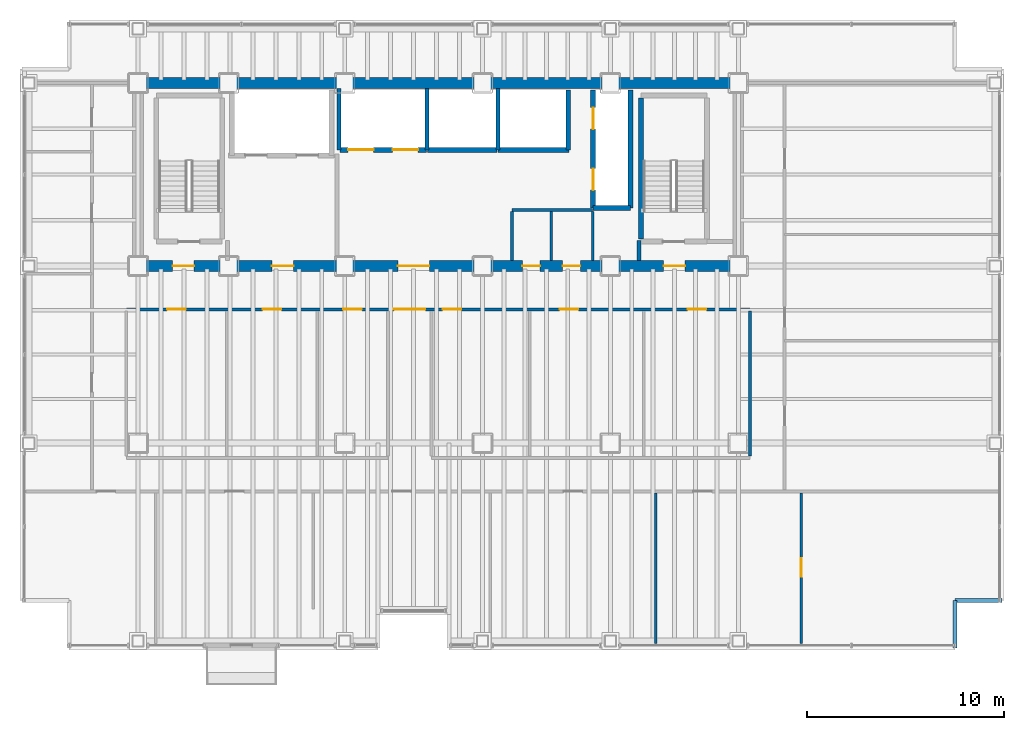
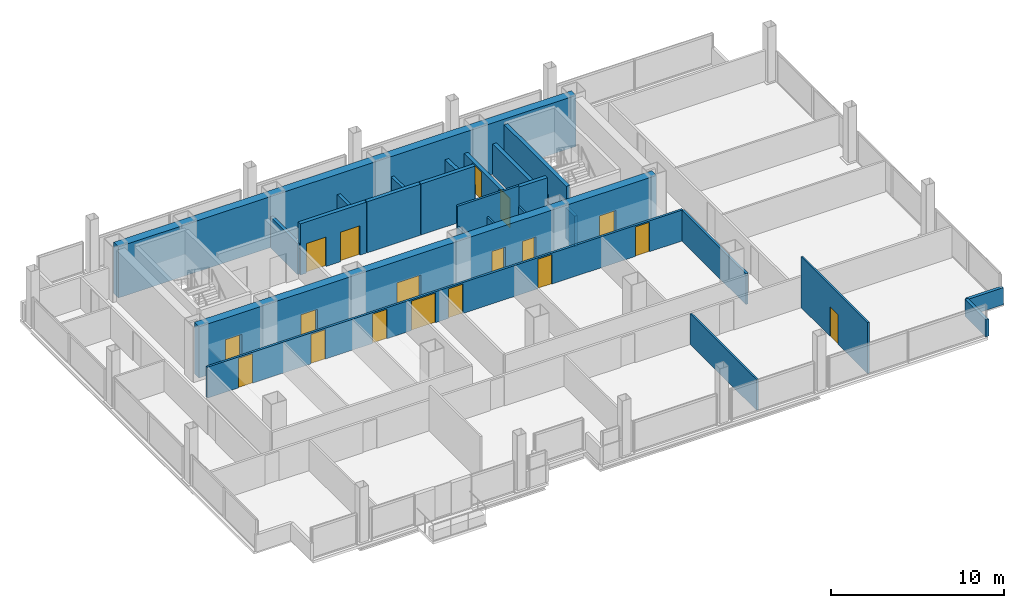
# One storey, part 19 of 21: 24 walls, 18 doors, 18 openings.
"""IFC4 building model written with IfcOpenShell, lengths in metres."""

from ifc_helpers import new_model, si_unit, direction, frame, frame_2d, origin, place, context, subcontext, project, spatial, rectangle, extrude, material, layer, layer_set, type_object, element, fill, save


model = new_model("IFC4")

# Units and contexts
model_context = context("Model", 3, precision=1e-05, world=origin(), true_north=direction((0.0, 1.0)))
body_context = subcontext(model_context, "Body", "Model", "MODEL_VIEW")
ifc_project = project(units=[si_unit("LENGTHUNIT", "METRE"), si_unit("AREAUNIT", "SQUARE_METRE"), si_unit("VOLUMEUNIT", "CUBIC_METRE"), si_unit("PLANEANGLEUNIT", "RADIAN"), si_unit("MASSUNIT", "GRAM", prefix="KILO")], contexts=[model_context])

# Site, building, storey
site_placement = place(None, origin())
site = spatial("IfcSite", under=ifc_project, at=site_placement, CompositionType="ELEMENT")
building_placement = place(site_placement, origin())
building = spatial("IfcBuilding", under=site, at=building_placement, Name="Noeulbin Bourse Tower", CompositionType="ELEMENT")
storey_placement = place(building_placement, frame((0.0, 0.0, 96.699951171875)))
storey = spatial("IfcBuildingStorey", under=building, at=storey_placement, Name="L24", CompositionType="ELEMENT", Elevation=96.699951171875)

# Wall, openings, doors
ifc_material_1 = material(Name="Concrete C60/75", Category="concrete")
ifc_layer_1 = layer(ifc_material_1, 0.550048828125)
ifc_layer_set_1 = layer_set([ifc_layer_1], Name="Concrete C60/75")
wall_type_1 = type_object("IfcWallType", Name="WAL-CORE-550", PredefinedType="SHEAR", material=ifc_layer_set_1)
wall_1_placement = place(storey_placement, frame((13.5, 29.0, 0.0), z_axis=(0.0, 0.0, 1.0), x_axis=(1.0, 0.0, 0.0)))
wall_1 = element("IfcWall", 1, at=wall_1_placement, inside=storey, type_object=wall_type_1, Name="Rear Core South Shear Wall L24", PredefinedType="SHEAR", context=body_context, shape_type="SweptSolid", body=[
    extrude(rectangle(XDim=30.5, YDim=0.550048828125, at=frame_2d((15.25, 0.0))), origin(), (0.0, 0.0, 1.0), 3.60009765625),
])
opening_1_placement = place(wall_1_placement, frame((1.75, 0.0, 0.0)))
opening_1 = element("IfcOpeningElement", 2, at=opening_1_placement, cuts=wall_1, Name="Opening FD-11", PredefinedType="OPENING", context=body_context, shape_type="SweptSolid", body=[
    extrude(rectangle(XDim=1.10009765625, YDim=2.080078125, at=frame_2d((0.550048828125, 1.0400390625))), frame((0.0, 0.284912109375, 0.0), z_axis=(0.0, -1.0, 0.0), x_axis=(1.0, 0.0, 0.0)), (0.0, 0.0, 1.0), 0.570068359375),
])
opening_2_placement = place(wall_1_placement, frame((26.699951171875, 0.0, 0.0)))
opening_2 = element("IfcOpeningElement", 3, at=opening_2_placement, cuts=wall_1, Name="Opening FD-11", PredefinedType="OPENING", context=body_context, shape_type="SweptSolid", body=[
    extrude(rectangle(XDim=1.10009765625, YDim=2.080078125, at=frame_2d((0.550048828125, 1.0400390625))), frame((0.0, 0.284912109375, 0.0), z_axis=(0.0, -1.0, 0.0), x_axis=(1.0, 0.0, 0.0)), (0.0, 0.0, 1.0), 0.570068359375),
])
opening_3_placement = place(wall_1_placement, frame((6.800048828125, 0.0, 0.0)))
opening_3 = element("IfcOpeningElement", 4, at=opening_3_placement, cuts=wall_1, Name="Opening FD-11", PredefinedType="OPENING", context=body_context, shape_type="SweptSolid", body=[
    extrude(rectangle(XDim=1.10009765625, YDim=2.080078125, at=frame_2d((0.550048828125, 1.0400390625))), frame((0.0, 0.284912109375, 0.0), z_axis=(0.0, -1.0, 0.0), x_axis=(1.0, 0.0, 0.0)), (0.0, 0.0, 1.0), 0.570068359375),
])
opening_4_placement = place(wall_1_placement, frame((13.199951171875, 0.0, 0.0)))
opening_4 = element("IfcOpeningElement", 5, at=opening_4_placement, cuts=wall_1, Name="Opening ID-16", PredefinedType="OPENING", context=body_context, shape_type="SweptSolid", body=[
    extrude(rectangle(XDim=1.60009765625, YDim=2.080078125, at=frame_2d((0.800048828125, 1.0400390625))), frame((0.0, 0.284912109375, 0.0), z_axis=(0.0, -1.0, 0.0), x_axis=(1.0, 0.0, 0.0)), (0.0, 0.0, 1.0), 0.570068359375),
])
opening_5_placement = place(wall_1_placement, frame((19.530029296875, 0.0, 0.0)))
opening_5 = element("IfcOpeningElement", 6, at=opening_5_placement, cuts=wall_1, Name="Opening FD-09", PredefinedType="OPENING", context=body_context, shape_type="SweptSolid", body=[
    extrude(rectangle(XDim=0.89990234375, YDim=2.080078125, at=frame_2d((0.449951171875, 1.0400390625))), frame((0.0, 0.284912109375, 0.0), z_axis=(0.0, -1.0, 0.0), x_axis=(1.0, 0.0, 0.0)), (0.0, 0.0, 1.0), 0.570068359375),
])
opening_6_placement = place(wall_1_placement, frame((21.570068359375, 0.0, 0.0)))
opening_6 = element("IfcOpeningElement", 7, at=opening_6_placement, cuts=wall_1, Name="Opening FD-09", PredefinedType="OPENING", context=body_context, shape_type="SweptSolid", body=[
    extrude(rectangle(XDim=0.89990234375, YDim=2.080078125, at=frame_2d((0.449951171875, 1.0400390625))), frame((0.0, 0.284912109375, 0.0), z_axis=(0.0, -1.0, 0.0), x_axis=(1.0, 0.0, 0.0)), (0.0, 0.0, 1.0), 0.570068359375),
])
ifc_material_2 = material(Name="Acoustic Glazed Aluminium", Category="aluminium")
door_type_1 = type_object("IfcDoorType", Name="DR-DBL-1600", OperationType="DOUBLE_DOOR_SINGLE_SWING", PredefinedType="DOOR", material=ifc_material_2)
door_1_placement = place(opening_4_placement, origin())
door_1 = element("IfcDoor", 8, at=door_1_placement, inside=storey, type_object=door_type_1, Name="Passenger Lift Lobby Portal L24", OperationType="DOUBLE_DOOR_SINGLE_SWING", OverallHeight=2.080078125, OverallWidth=1.60009765625, PredefinedType="DOOR", context=body_context, shape_type="SweptSolid", body=[
    extrude(rectangle(XDim=1.60009765625, YDim=2.080078125, at=frame_2d((0.800048828125, 1.0400390625))), frame((0.0, 0.02490234375, 0.0), z_axis=(0.0, -1.0, 0.0), x_axis=(1.0, 0.0, 0.0)), (0.0, 0.0, 1.0), 0.050048828125),
])
fill(opening_4, door_1)
ifc_material_3 = material(Name="Fire-Rated Timber Core", Category="wood")
door_type_2 = type_object("IfcDoorType", Name="DR-FD30-900", OperationType="SINGLE_SWING_RIGHT", PredefinedType="DOOR", material=ifc_material_3)
door_2_placement = place(opening_5_placement, origin())
door_2 = element("IfcDoor", 9, at=door_2_placement, inside=storey, type_object=door_type_2, Name="Interior Door L24-05", OperationType="SINGLE_SWING_RIGHT", OverallHeight=2.080078125, OverallWidth=0.89990234375, PredefinedType="DOOR", context=body_context, shape_type="SweptSolid", body=[
    extrude(rectangle(XDim=0.89990234375, YDim=2.080078125, at=frame_2d((0.449951171875, 1.0400390625))), frame((0.0, 0.02490234375, 0.0), z_axis=(0.0, -1.0, 0.0), x_axis=(1.0, 0.0, 0.0)), (0.0, 0.0, 1.0), 0.050048828125),
])
fill(opening_5, door_2)
door_3_placement = place(opening_6_placement, origin())
door_3 = element("IfcDoor", 10, at=door_3_placement, inside=storey, type_object=door_type_2, Name="Interior Door L24-06", OperationType="SINGLE_SWING_LEFT", OverallHeight=2.080078125, OverallWidth=0.89990234375, PredefinedType="DOOR", context=body_context, shape_type="SweptSolid", body=[
    extrude(rectangle(XDim=0.89990234375, YDim=2.080078125, at=frame_2d((0.449951171875, 1.0400390625))), frame((0.0, 0.02490234375, 0.0), z_axis=(0.0, -1.0, 0.0), x_axis=(1.0, 0.0, 0.0)), (0.0, 0.0, 1.0), 0.050048828125),
])
fill(opening_6, door_3)
ifc_material_4 = material(Name="Fire-Rated Insulated Steel", Category="steel")
door_type_3 = type_object("IfcDoorType", Name="DR-FD60-1100", OperationType="SINGLE_SWING_LEFT", PredefinedType="DOOR", material=ifc_material_4)
door_4_placement = place(opening_1_placement, origin())
door_4 = element("IfcDoor", 11, at=door_4_placement, inside=storey, type_object=door_type_3, Name="West Stair Lobby Door L24", OperationType="SINGLE_SWING_RIGHT", OverallHeight=2.080078125, OverallWidth=1.10009765625, PredefinedType="DOOR", context=body_context, shape_type="SweptSolid", body=[
    extrude(rectangle(XDim=1.10009765625, YDim=2.080078125, at=frame_2d((0.550048828125, 1.0400390625))), frame((0.0, 0.02490234375, 0.0), z_axis=(0.0, -1.0, 0.0), x_axis=(1.0, 0.0, 0.0)), (0.0, 0.0, 1.0), 0.050048828125),
])
fill(opening_1, door_4)
door_5_placement = place(opening_2_placement, origin())
door_5 = element("IfcDoor", 12, at=door_5_placement, inside=storey, type_object=door_type_3, Name="East Stair Lobby Door L24", OperationType="SINGLE_SWING_LEFT", OverallHeight=2.080078125, OverallWidth=1.10009765625, PredefinedType="DOOR", context=body_context, shape_type="SweptSolid", body=[
    extrude(rectangle(XDim=1.10009765625, YDim=2.080078125, at=frame_2d((0.550048828125, 1.0400390625))), frame((0.0, 0.02490234375, 0.0), z_axis=(0.0, -1.0, 0.0), x_axis=(1.0, 0.0, 0.0)), (0.0, 0.0, 1.0), 0.050048828125),
])
fill(opening_2, door_5)
door_6_placement = place(opening_3_placement, origin())
door_6 = element("IfcDoor", 13, at=door_6_placement, inside=storey, type_object=door_type_3, Name="Firefighting Lobby Door L24", OperationType="SINGLE_SWING_RIGHT", OverallHeight=2.080078125, OverallWidth=1.10009765625, PredefinedType="DOOR", context=body_context, shape_type="SweptSolid", body=[
    extrude(rectangle(XDim=1.10009765625, YDim=2.080078125, at=frame_2d((0.550048828125, 1.0400390625))), frame((0.0, 0.02490234375, 0.0), z_axis=(0.0, -1.0, 0.0), x_axis=(1.0, 0.0, 0.0)), (0.0, 0.0, 1.0), 0.050048828125),
])
fill(opening_3, door_6)

# Walls
wall_2_placement = place(storey_placement, frame((13.5, 38.300048828125, 0.0), z_axis=(0.0, 0.0, 1.0), x_axis=(1.0, 0.0, 0.0)))
element("IfcWall", 14, at=wall_2_placement, inside=storey, type_object=wall_type_1, Name="Rear Core North Shear Wall L24", PredefinedType="SHEAR", context=body_context, shape_type="SweptSolid", body=[
    extrude(rectangle(XDim=30.5, YDim=0.550048828125, at=frame_2d((15.25, 0.0))), origin(), (0.0, 0.0, 1.0), 3.60009765625),
])
ifc_material_5 = material(Name="Concrete C40/50", Category="concrete")
ifc_layer_2 = layer(ifc_material_5, 0.199951171875)
ifc_layer_set_2 = layer_set([ifc_layer_2], Name="Concrete C40/50")
wall_type_2 = type_object("IfcWallType", Name="WAL-FIRE-200", PredefinedType="STANDARD", material=ifc_layer_set_2)
wall_3_placement = place(storey_placement, frame((38.949951171875, 29.284912109375, 0.0), z_axis=(0.0, 0.0, 1.0), x_axis=(0.0, 1.0, 0.0)))
element("IfcWall", 15, at=wall_3_placement, inside=storey, type_object=wall_type_2, Name="Interior Partition Wall L24-14", PredefinedType="STANDARD", context=body_context, shape_type="SweptSolid", body=[
    extrude(rectangle(XDim=1.01513671875, YDim=0.199951171875, at=frame_2d((0.507568359375, 0.0))), origin(), (0.0, 0.0, 1.0), 2.179931640625),
])
ifc_layer_3 = layer(ifc_material_5, 0.199951171875)
ifc_layer_set_3 = layer_set([ifc_layer_3], Name="Concrete C40/50")
wall_type_3 = type_object("IfcWallType", Name="WAL-PAR-200", PredefinedType="PARAPET", material=ifc_layer_set_3)
for number, where, z_axis, x_axis, name in (
    (16, (55.0, 9.60009765625, 0.0), (0.0, 0.0, 1.0), (0.0, 1.0, 0.0), "Corner Notch Parapet L24-SE1"),
    (17, (55.0, 12.0, 0.0), (0.0, 0.0, 1.0), (1.0, 0.0, 0.0), "Corner Notch Parapet L24-SE2"),
):
    element("IfcWall", number, at=place(storey_placement, frame(where, z_axis=z_axis, x_axis=x_axis)), inside=storey, type_object=wall_type_3, Name=name, PredefinedType="PARAPET", context=body_context, shape_type="SweptSolid", body=[
        extrude(rectangle(XDim=2.39990234375, YDim=0.199951171875, at=frame_2d((1.199951171875, 0.0))), origin(), (0.0, 0.0, 1.0), 1.199951171875),
    ])
ifc_material_6 = material(Name="Steel Stud Gypsum Partition", Category="steel")
ifc_layer_4 = layer(ifc_material_6, 0.1201171875)
ifc_layer_set_4 = layer_set([ifc_layer_4], Name="Steel Stud Gypsum Partition")
wall_type_4 = type_object("IfcWallType", Name="WAL-PRT-120", PredefinedType="PARTITIONING", material=ifc_layer_set_4)
for number, where, z_axis, x_axis, name in (
    (18, (36.60009765625, 29.284912109375, 0.0), (0.0, 0.0, 1.0), (0.0, 1.0, 0.0), "Interior Partition Wall L24-17"),
    (19, (34.5, 29.284912109375, 0.0), (0.0, 0.0, 1.0), (0.0, 1.0, 0.0), "Interior Partition Wall L24-18"),
):
    element("IfcWall", number, at=place(storey_placement, frame(where, z_axis=z_axis, x_axis=x_axis)), inside=storey, type_object=wall_type_4, Name=name, PredefinedType="PARTITIONING", context=body_context, shape_type="SweptSolid", body=[
        extrude(rectangle(XDim=2.47998046875, YDim=0.1201171875, at=frame_2d((1.239990234375, 0.0))), origin(), (0.0, 0.0, 1.0), 2.179931640625),
    ])
wall_4_placement = place(storey_placement, frame((39.800048828125, 9.81005859375, 0.0), z_axis=(0.0, 0.0, 1.0), x_axis=(0.0, 1.0, 0.0)))
element("IfcWall", 20, at=wall_4_placement, inside=storey, type_object=wall_type_4, Name="Interior Partition Wall L24-28", PredefinedType="PARTITIONING", context=body_context, shape_type="SweptSolid", body=[
    extrude(rectangle(XDim=7.655029296875, YDim=0.1201171875, at=frame_2d((3.82763671875, 0.0))), origin(), (0.0, 0.0, 1.0), 2.179931640625),
])

# Wall, opening, door
wall_5_placement = place(storey_placement, frame((47.199951171875, 9.81005859375, 0.0), z_axis=(0.0, 0.0, 1.0), x_axis=(0.0, 1.0, 0.0)))
wall_5 = element("IfcWall", 21, at=wall_5_placement, inside=storey, type_object=wall_type_4, Name="Interior Partition Wall L24-29", PredefinedType="PARTITIONING", context=body_context, shape_type="SweptSolid", body=[
    extrude(rectangle(XDim=7.655029296875, YDim=0.1201171875, at=frame_2d((3.82763671875, 0.0))), origin(), (0.0, 0.0, 1.0), 3.60009765625),
])
opening_7_placement = place(wall_5_placement, frame((3.39501953125, 0.0, 0.0)))
opening_7 = element("IfcOpeningElement", 22, at=opening_7_placement, cuts=wall_5, Name="Opening ID-09", PredefinedType="OPENING", context=body_context, shape_type="SweptSolid", body=[
    extrude(rectangle(XDim=0.949951171875, YDim=2.080078125, at=frame_2d((0.47509765625, 1.0400390625))), frame((0.0, 0.070068359375, 0.0), z_axis=(0.0, -1.0, 0.0), x_axis=(1.0, 0.0, 0.0)), (0.0, 0.0, 1.0), 0.14013671875),
])
ifc_material_7 = material(Name="Acoustic Solid-Core Timber", Category="wood")
door_type_4 = type_object("IfcDoorType", Name="DR-SINGLE-950", OperationType="SINGLE_SWING_LEFT", PredefinedType="DOOR", material=ifc_material_7)
door_7_placement = place(opening_7_placement, origin())
door_7 = element("IfcDoor", 23, at=door_7_placement, inside=storey, type_object=door_type_4, Name="Interior Door L24-13", OperationType="SINGLE_SWING_RIGHT", OverallHeight=2.080078125, OverallWidth=0.949951171875, PredefinedType="DOOR", context=body_context, shape_type="SweptSolid", body=[
    extrude(rectangle(XDim=0.949951171875, YDim=2.080078125, at=frame_2d((0.47509765625, 1.0400390625))), frame((0.0, 0.02490234375, 0.0), z_axis=(0.0, -1.0, 0.0), x_axis=(1.0, 0.0, 0.0)), (0.0, 0.0, 1.0), 0.050048828125),
])
fill(opening_7, door_7)

# Wall
ifc_material_8 = material(Name="Steel Stud Acoustic Gypsum Board", Category="steel")
ifc_layer_5 = layer(ifc_material_8, 0.14990234375)
ifc_layer_set_5 = layer_set([ifc_layer_5], Name="Steel Stud Acoustic Gypsum Board")
wall_type_5 = type_object("IfcWallType", Name="WAL-PRT-150", PredefinedType="PARTITIONING", material=ifc_layer_set_5)
wall_6_placement = place(storey_placement, frame((32.5, 31.85009765625, 0.0), z_axis=(0.0, 0.0, 1.0), x_axis=(1.0, 0.0, 0.0)))
element("IfcWall", 24, at=wall_6_placement, inside=storey, type_object=wall_type_5, Name="Interior Partition Wall L24-02", PredefinedType="PARTITIONING", context=body_context, shape_type="SweptSolid", body=[
    extrude(rectangle(XDim=4.10009765625, YDim=0.14990234375, at=frame_2d((2.050048828125, 0.0))), origin(), (0.0, 0.0, 1.0), 3.60009765625),
])

# Wall, openings, doors
wall_7_placement = place(storey_placement, frame((12.89990234375, 26.800048828125, 0.0), z_axis=(0.0, 0.0, 1.0), x_axis=(1.0, 0.0, 0.0)))
wall_7 = element("IfcWall", 25, at=wall_7_placement, inside=storey, type_object=wall_type_5, Name="Interior Partition Wall L24-03", PredefinedType="PARTITIONING", context=body_context, shape_type="SweptSolid", body=[
    extrude(rectangle(XDim=31.7001953125, YDim=0.14990234375, at=frame_2d((15.85009765625, 0.0))), origin(), (0.0, 0.0, 1.0), 2.179931640625),
])
opening_8_placement = place(wall_7_placement, frame((13.60009765625, 0.0, 0.0)))
opening_8 = element("IfcOpeningElement", 26, at=opening_8_placement, cuts=wall_7, Name="Opening ID-16", PredefinedType="OPENING", context=body_context, shape_type="SweptSolid", body=[
    extrude(rectangle(XDim=1.60009765625, YDim=2.080078125, at=frame_2d((0.800048828125, 1.0400390625))), frame((0.0, 0.0849609375, 0.0), z_axis=(0.0, -1.0, 0.0), x_axis=(1.0, 0.0, 0.0)), (0.0, 0.0, 1.0), 0.169921875),
])
opening_9_placement = place(wall_7_placement, frame((2.074951171875, 0.0, 0.0)))
opening_9 = element("IfcOpeningElement", 27, at=opening_9_placement, cuts=wall_7, Name="Opening ID-09", PredefinedType="OPENING", context=body_context, shape_type="SweptSolid", body=[
    extrude(rectangle(XDim=0.949951171875, YDim=2.080078125, at=frame_2d((0.47509765625, 1.0400390625))), frame((0.0, 0.0849609375, 0.0), z_axis=(0.0, -1.0, 0.0), x_axis=(1.0, 0.0, 0.0)), (0.0, 0.0, 1.0), 0.169921875),
])
opening_10_placement = place(wall_7_placement, frame((6.925048828125, 0.0, 0.0)))
opening_10 = element("IfcOpeningElement", 28, at=opening_10_placement, cuts=wall_7, Name="Opening ID-09", PredefinedType="OPENING", context=body_context, shape_type="SweptSolid", body=[
    extrude(rectangle(XDim=0.949951171875, YDim=2.080078125, at=frame_2d((0.47509765625, 1.0400390625))), frame((0.0, 0.0849609375, 0.0), z_axis=(0.0, -1.0, 0.0), x_axis=(1.0, 0.0, 0.0)), (0.0, 0.0, 1.0), 0.169921875),
])
opening_11_placement = place(wall_7_placement, frame((11.02490234375, 0.0, 0.0)))
opening_11 = element("IfcOpeningElement", 29, at=opening_11_placement, cuts=wall_7, Name="Opening ID-09", PredefinedType="OPENING", context=body_context, shape_type="SweptSolid", body=[
    extrude(rectangle(XDim=0.949951171875, YDim=2.080078125, at=frame_2d((0.47509765625, 1.0400390625))), frame((0.0, 0.0849609375, 0.0), z_axis=(0.0, -1.0, 0.0), x_axis=(1.0, 0.0, 0.0)), (0.0, 0.0, 1.0), 0.169921875),
])
opening_12_placement = place(wall_7_placement, frame((16.074951171875, 0.0, 0.0)))
opening_12 = element("IfcOpeningElement", 30, at=opening_12_placement, cuts=wall_7, Name="Opening ID-09", PredefinedType="OPENING", context=body_context, shape_type="SweptSolid", body=[
    extrude(rectangle(XDim=0.949951171875, YDim=2.080078125, at=frame_2d((0.47509765625, 1.0400390625))), frame((0.0, 0.0849609375, 0.0), z_axis=(0.0, -1.0, 0.0), x_axis=(1.0, 0.0, 0.0)), (0.0, 0.0, 1.0), 0.169921875),
])
opening_13_placement = place(wall_7_placement, frame((22.02490234375, 0.0, 0.0)))
opening_13 = element("IfcOpeningElement", 31, at=opening_13_placement, cuts=wall_7, Name="Opening ID-09", PredefinedType="OPENING", context=body_context, shape_type="SweptSolid", body=[
    extrude(rectangle(XDim=0.949951171875, YDim=2.080078125, at=frame_2d((0.47509765625, 1.0400390625))), frame((0.0, 0.0849609375, 0.0), z_axis=(0.0, -1.0, 0.0), x_axis=(1.0, 0.0, 0.0)), (0.0, 0.0, 1.0), 0.169921875),
])
opening_14_placement = place(wall_7_placement, frame((28.52490234375, 0.0, 0.0)))
opening_14 = element("IfcOpeningElement", 32, at=opening_14_placement, cuts=wall_7, Name="Opening ID-09", PredefinedType="OPENING", context=body_context, shape_type="SweptSolid", body=[
    extrude(rectangle(XDim=0.949951171875, YDim=2.080078125, at=frame_2d((0.47509765625, 1.0400390625))), frame((0.0, 0.0849609375, 0.0), z_axis=(0.0, -1.0, 0.0), x_axis=(1.0, 0.0, 0.0)), (0.0, 0.0, 1.0), 0.169921875),
])
door_8_placement = place(opening_8_placement, origin())
door_8 = element("IfcDoor", 33, at=door_8_placement, inside=storey, type_object=door_type_1, Name="Interior Door L24-07", OperationType="DOUBLE_DOOR_SINGLE_SWING", OverallHeight=2.080078125, OverallWidth=1.60009765625, PredefinedType="DOOR", context=body_context, shape_type="SweptSolid", body=[
    extrude(rectangle(XDim=1.60009765625, YDim=2.080078125, at=frame_2d((0.800048828125, 1.0400390625))), frame((0.0, 0.02490234375, 0.0), z_axis=(0.0, -1.0, 0.0), x_axis=(1.0, 0.0, 0.0)), (0.0, 0.0, 1.0), 0.050048828125),
])
fill(opening_8, door_8)
door_9_placement = place(opening_9_placement, origin())
door_9 = element("IfcDoor", 34, at=door_9_placement, inside=storey, type_object=door_type_4, Name="Interior Door L24-14", OperationType="SINGLE_SWING_LEFT", OverallHeight=2.080078125, OverallWidth=0.949951171875, PredefinedType="DOOR", context=body_context, shape_type="SweptSolid", body=[
    extrude(rectangle(XDim=0.949951171875, YDim=2.080078125, at=frame_2d((0.47509765625, 1.0400390625))), frame((0.0, 0.02490234375, 0.0), z_axis=(0.0, -1.0, 0.0), x_axis=(1.0, 0.0, 0.0)), (0.0, 0.0, 1.0), 0.050048828125),
])
fill(opening_9, door_9)
door_10_placement = place(opening_10_placement, origin())
door_10 = element("IfcDoor", 35, at=door_10_placement, inside=storey, type_object=door_type_4, Name="Interior Door L24-15", OperationType="SINGLE_SWING_RIGHT", OverallHeight=2.080078125, OverallWidth=0.949951171875, PredefinedType="DOOR", context=body_context, shape_type="SweptSolid", body=[
    extrude(rectangle(XDim=0.949951171875, YDim=2.080078125, at=frame_2d((0.47509765625, 1.0400390625))), frame((0.0, 0.02490234375, 0.0), z_axis=(0.0, -1.0, 0.0), x_axis=(1.0, 0.0, 0.0)), (0.0, 0.0, 1.0), 0.050048828125),
])
fill(opening_10, door_10)
door_11_placement = place(opening_11_placement, origin())
door_11 = element("IfcDoor", 36, at=door_11_placement, inside=storey, type_object=door_type_4, Name="Interior Door L24-16", OperationType="SINGLE_SWING_LEFT", OverallHeight=2.080078125, OverallWidth=0.949951171875, PredefinedType="DOOR", context=body_context, shape_type="SweptSolid", body=[
    extrude(rectangle(XDim=0.949951171875, YDim=2.080078125, at=frame_2d((0.47509765625, 1.0400390625))), frame((0.0, 0.02490234375, 0.0), z_axis=(0.0, -1.0, 0.0), x_axis=(1.0, 0.0, 0.0)), (0.0, 0.0, 1.0), 0.050048828125),
])
fill(opening_11, door_11)
door_12_placement = place(opening_12_placement, origin())
door_12 = element("IfcDoor", 37, at=door_12_placement, inside=storey, type_object=door_type_4, Name="Interior Door L24-17", OperationType="SINGLE_SWING_RIGHT", OverallHeight=2.080078125, OverallWidth=0.949951171875, PredefinedType="DOOR", context=body_context, shape_type="SweptSolid", body=[
    extrude(rectangle(XDim=0.949951171875, YDim=2.080078125, at=frame_2d((0.47509765625, 1.0400390625))), frame((0.0, 0.02490234375, 0.0), z_axis=(0.0, -1.0, 0.0), x_axis=(1.0, 0.0, 0.0)), (0.0, 0.0, 1.0), 0.050048828125),
])
fill(opening_12, door_12)
door_13_placement = place(opening_13_placement, origin())
door_13 = element("IfcDoor", 38, at=door_13_placement, inside=storey, type_object=door_type_4, Name="Interior Door L24-18", OperationType="SINGLE_SWING_LEFT", OverallHeight=2.080078125, OverallWidth=0.949951171875, PredefinedType="DOOR", context=body_context, shape_type="SweptSolid", body=[
    extrude(rectangle(XDim=0.949951171875, YDim=2.080078125, at=frame_2d((0.47509765625, 1.0400390625))), frame((0.0, 0.02490234375, 0.0), z_axis=(0.0, -1.0, 0.0), x_axis=(1.0, 0.0, 0.0)), (0.0, 0.0, 1.0), 0.050048828125),
])
fill(opening_13, door_13)
door_14_placement = place(opening_14_placement, origin())
door_14 = element("IfcDoor", 39, at=door_14_placement, inside=storey, type_object=door_type_4, Name="Interior Door L24-19", OperationType="SINGLE_SWING_RIGHT", OverallHeight=2.080078125, OverallWidth=0.949951171875, PredefinedType="DOOR", context=body_context, shape_type="SweptSolid", body=[
    extrude(rectangle(XDim=0.949951171875, YDim=2.080078125, at=frame_2d((0.47509765625, 1.0400390625))), frame((0.0, 0.02490234375, 0.0), z_axis=(0.0, -1.0, 0.0), x_axis=(1.0, 0.0, 0.0)), (0.0, 0.0, 1.0), 0.050048828125),
])
fill(opening_14, door_14)

# Walls
wall_8_placement = place(storey_placement, frame((32.5, 29.284912109375, 0.0), z_axis=(0.0, 0.0, 1.0), x_axis=(0.0, 1.0, 0.0)))
element("IfcWall", 40, at=wall_8_placement, inside=storey, type_object=wall_type_5, Name="Interior Partition Wall L24-16", PredefinedType="PARTITIONING", context=body_context, shape_type="SweptSolid", body=[
    extrude(rectangle(XDim=2.47998046875, YDim=0.14990234375, at=frame_2d((1.239990234375, 0.0))), origin(), (0.0, 0.0, 1.0), 2.179931640625),
])
wall_9_placement = place(storey_placement, frame((44.60009765625, 19.3349609375, 0.0), z_axis=(0.0, 0.0, 1.0), x_axis=(0.0, 1.0, 0.0)))
element("IfcWall", 41, at=wall_9_placement, inside=storey, type_object=wall_type_5, Name="Interior Partition Wall L24-24", PredefinedType="PARTITIONING", context=body_context, shape_type="SweptSolid", body=[
    extrude(rectangle(XDim=7.380126953125, YDim=0.14990234375, at=frame_2d((3.68994140625, 0.0))), origin(), (0.0, 0.0, 1.0), 2.179931640625),
])
ifc_layer_6 = layer(ifc_material_5, 0.25)
ifc_layer_set_6 = layer_set([ifc_layer_6], Name="Concrete C40/50")
wall_type_6 = type_object("IfcWallType", Name="WAL-SHFT-250", PredefinedType="STANDARD", material=ifc_layer_set_6)
wall_10_placement = place(storey_placement, frame((39.054931640625, 30.360107421875, 0.0), z_axis=(0.0, 0.0, 1.0), x_axis=(0.0, 1.0, 0.0)))
element("IfcWall", 42, at=wall_10_placement, inside=storey, type_object=wall_type_6, Name="Stair ST-2 West Shaft Wall L24", PredefinedType="STANDARD", context=body_context, shape_type="SweptSolid", body=[
    extrude(rectangle(XDim=7.183837890625, YDim=0.25, at=frame_2d((3.591796875, 0.0))), origin(), (0.0, 0.0, 1.0), 3.60009765625),
])

# Wall, openings, doors
wall_11_placement = place(storey_placement, frame((36.6201171875, 31.949951171875, 0.0), z_axis=(0.0, 0.0, 1.0), x_axis=(0.0, 1.0, 0.0)))
wall_11 = element("IfcWall", 43, at=wall_11_placement, inside=storey, type_object=wall_type_6, Name="Service Lift Shaft Wall L24", PredefinedType="STANDARD", context=body_context, shape_type="SweptSolid", body=[
    extrude(rectangle(XDim=6.0, YDim=0.25, at=frame_2d((3.0, 0.0))), origin(), (0.0, 0.0, 1.0), 2.179931640625),
])
opening_15_placement = place(wall_11_placement, frame((0.89990234375, 0.0, 0.0)))
opening_15 = element("IfcOpeningElement", 44, at=opening_15_placement, cuts=wall_11, Name="Opening LD-11", PredefinedType="OPENING", context=body_context, shape_type="SweptSolid", body=[
    extrude(rectangle(XDim=1.10009765625, YDim=2.080078125, at=frame_2d((0.550048828125, 1.0400390625))), frame((0.0, 0.135009765625, 0.0), z_axis=(0.0, -1.0, 0.0), x_axis=(1.0, 0.0, 0.0)), (0.0, 0.0, 1.0), 0.27001953125),
])
opening_16_placement = place(wall_11_placement, frame((4.0, 0.0, 0.0)))
opening_16 = element("IfcOpeningElement", 45, at=opening_16_placement, cuts=wall_11, Name="Opening LD-11", PredefinedType="OPENING", context=body_context, shape_type="SweptSolid", body=[
    extrude(rectangle(XDim=1.10009765625, YDim=2.080078125, at=frame_2d((0.550048828125, 1.0400390625))), frame((0.0, 0.135009765625, 0.0), z_axis=(0.0, -1.0, 0.0), x_axis=(1.0, 0.0, 0.0)), (0.0, 0.0, 1.0), 0.27001953125),
])
ifc_material_9 = material(Name="Brushed Stainless Steel 316", Category="steel")
door_type_5 = type_object("IfcDoorType", Name="DR-LIFT-1100", OperationType="SLIDING_TO_LEFT", PredefinedType="DOOR", material=ifc_material_9)
door_15_placement = place(opening_15_placement, origin())
door_15 = element("IfcDoor", 46, at=door_15_placement, inside=storey, type_object=door_type_5, Name="Lift Landing Door LD-EL-01-L24", OperationType="SLIDING_TO_LEFT", OverallHeight=2.080078125, OverallWidth=1.10009765625, PredefinedType="DOOR", context=body_context, shape_type="SweptSolid", body=[
    extrude(rectangle(XDim=1.10009765625, YDim=2.080078125, at=frame_2d((0.550048828125, 1.0400390625))), frame((0.0, 0.02490234375, 0.0), z_axis=(0.0, -1.0, 0.0), x_axis=(1.0, 0.0, 0.0)), (0.0, 0.0, 1.0), 0.050048828125),
])
fill(opening_15, door_15)
door_16_placement = place(opening_16_placement, origin())
door_16 = element("IfcDoor", 47, at=door_16_placement, inside=storey, type_object=door_type_5, Name="Lift Landing Door LD-SV-01-L24", OperationType="SLIDING_TO_LEFT", OverallHeight=2.080078125, OverallWidth=1.10009765625, PredefinedType="DOOR", context=body_context, shape_type="SweptSolid", body=[
    extrude(rectangle(XDim=1.10009765625, YDim=2.080078125, at=frame_2d((0.550048828125, 1.0400390625))), frame((0.0, 0.02490234375, 0.0), z_axis=(0.0, -1.0, 0.0), x_axis=(1.0, 0.0, 0.0)), (0.0, 0.0, 1.0), 0.050048828125),
])
fill(opening_16, door_16)

# Walls
wall_12_placement = place(storey_placement, frame((38.52001953125, 31.949951171875, 0.0), z_axis=(0.0, 0.0, 1.0), x_axis=(0.0, 1.0, 0.0)))
element("IfcWall", 48, at=wall_12_placement, inside=storey, type_object=wall_type_6, Name="Service Lift East Shaft Wall L24", PredefinedType="STANDARD", context=body_context, shape_type="SweptSolid", body=[
    extrude(rectangle(XDim=6.0, YDim=0.25, at=frame_2d((3.0, 0.0))), origin(), (0.0, 0.0, 1.0), 2.179931640625),
])
wall_13_placement = place(storey_placement, frame((36.6201171875, 31.949951171875, 0.0), z_axis=(0.0, 0.0, 1.0), x_axis=(1.0, 0.0, 0.0)))
element("IfcWall", 49, at=wall_13_placement, inside=storey, type_object=wall_type_6, Name="Service Lift South Shaft Wall L24", PredefinedType="STANDARD", context=body_context, shape_type="SweptSolid", body=[
    extrude(rectangle(XDim=1.89990234375, YDim=0.25, at=frame_2d((0.949951171875, 0.0))), origin(), (0.0, 0.0, 1.0), 3.47998046875),
])
wall_14_placement = place(storey_placement, frame((35.360107421875, 34.89990234375, 0.0), z_axis=(0.0, 0.0, 1.0), x_axis=(0.0, 1.0, 0.0)))
element("IfcWall", 50, at=wall_14_placement, inside=storey, type_object=wall_type_6, Name="High-Rise Lift East Shaft Wall L24", PredefinedType="STANDARD", context=body_context, shape_type="SweptSolid", body=[
    extrude(rectangle(XDim=3.050048828125, YDim=0.25, at=frame_2d((1.52490234375, 0.0))), origin(), (0.0, 0.0, 1.0), 2.179931640625),
])

# Wall, openings, doors
wall_15_placement = place(storey_placement, frame((23.75, 34.89990234375, 0.0), z_axis=(0.0, 0.0, 1.0), x_axis=(1.0, 0.0, 0.0)))
wall_15 = element("IfcWall", 51, at=wall_15_placement, inside=storey, type_object=wall_type_6, Name="Low-Rise Lift Bank Front L24", PredefinedType="STANDARD", context=body_context, shape_type="SweptSolid", body=[
    extrude(rectangle(XDim=4.39990234375, YDim=0.25, at=frame_2d((2.199951171875, 0.0))), origin(), (0.0, 0.0, 1.0), 3.60009765625),
])
opening_17_placement = place(wall_15_placement, frame((0.419921875, 0.0, 0.0)))
opening_17 = element("IfcOpeningElement", 52, at=opening_17_placement, cuts=wall_15, Name="Opening LD-13", PredefinedType="OPENING", context=body_context, shape_type="SweptSolid", body=[
    extrude(rectangle(XDim=1.300048828125, YDim=2.080078125, at=frame_2d((0.64990234375, 1.0400390625))), frame((0.0, 0.135009765625, 0.0), z_axis=(0.0, -1.0, 0.0), x_axis=(1.0, 0.0, 0.0)), (0.0, 0.0, 1.0), 0.27001953125),
])
opening_18_placement = place(wall_15_placement, frame((2.679931640625, 0.0, 0.0)))
opening_18 = element("IfcOpeningElement", 53, at=opening_18_placement, cuts=wall_15, Name="Opening LD-13", PredefinedType="OPENING", context=body_context, shape_type="SweptSolid", body=[
    extrude(rectangle(XDim=1.300048828125, YDim=2.080078125, at=frame_2d((0.64990234375, 1.0400390625))), frame((0.0, 0.135009765625, 0.0), z_axis=(0.0, -1.0, 0.0), x_axis=(1.0, 0.0, 0.0)), (0.0, 0.0, 1.0), 0.27001953125),
])
door_type_6 = type_object("IfcDoorType", Name="DR-LIFT-1300", OperationType="DOUBLE_DOOR_SLIDING", PredefinedType="DOOR", material=ifc_material_9)
door_17_placement = place(opening_17_placement, origin())
door_17 = element("IfcDoor", 54, at=door_17_placement, inside=storey, type_object=door_type_6, Name="Lift Landing Door LD-PL-L1-L24", OperationType="DOUBLE_DOOR_SLIDING", OverallHeight=2.080078125, OverallWidth=1.300048828125, PredefinedType="DOOR", context=body_context, shape_type="SweptSolid", body=[
    extrude(rectangle(XDim=1.300048828125, YDim=2.080078125, at=frame_2d((0.64990234375, 1.0400390625))), frame((0.0, 0.02490234375, 0.0), z_axis=(0.0, -1.0, 0.0), x_axis=(1.0, 0.0, 0.0)), (0.0, 0.0, 1.0), 0.050048828125),
])
fill(opening_17, door_17)
door_18_placement = place(opening_18_placement, origin())
door_18 = element("IfcDoor", 55, at=door_18_placement, inside=storey, type_object=door_type_6, Name="Lift Landing Door LD-PL-L2-L24", OperationType="DOUBLE_DOOR_SLIDING", OverallHeight=2.080078125, OverallWidth=1.300048828125, PredefinedType="DOOR", context=body_context, shape_type="SweptSolid", body=[
    extrude(rectangle(XDim=1.300048828125, YDim=2.080078125, at=frame_2d((0.64990234375, 1.0400390625))), frame((0.0, 0.02490234375, 0.0), z_axis=(0.0, -1.0, 0.0), x_axis=(1.0, 0.0, 0.0)), (0.0, 0.0, 1.0), 0.050048828125),
])
fill(opening_18, door_18)

# Walls
wall_16_placement = place(storey_placement, frame((28.199951171875, 34.89990234375, 0.0), z_axis=(0.0, 0.0, 1.0), x_axis=(1.0, 0.0, 0.0)))
element("IfcWall", 56, at=wall_16_placement, inside=storey, type_object=wall_type_6, Name="Mid-Rise Lift Bank Front L24", PredefinedType="STANDARD", context=body_context, shape_type="SweptSolid", body=[
    extrude(rectangle(XDim=3.550048828125, YDim=0.25, at=frame_2d((1.77490234375, 0.0))), origin(), (0.0, 0.0, 1.0), 3.60009765625),
])
wall_17_placement = place(storey_placement, frame((31.800048828125, 34.89990234375, 0.0), z_axis=(0.0, 0.0, 1.0), x_axis=(1.0, 0.0, 0.0)))
element("IfcWall", 57, at=wall_17_placement, inside=storey, type_object=wall_type_6, Name="High-Rise Lift Bank Front L24", PredefinedType="STANDARD", context=body_context, shape_type="SweptSolid", body=[
    extrude(rectangle(XDim=3.599853515625, YDim=0.25, at=frame_2d((1.7998046875, 0.0))), origin(), (0.0, 0.0, 1.0), 3.60009765625),
])
for number, where, z_axis, x_axis, name in (
    (58, (23.719970703125, 34.89990234375, 0.0), (0.0, 0.0, 1.0), (0.0, 1.0, 0.0), "Hoistway Side Shaft Wall L24-PLLW"),
    (59, (28.179931640625, 34.89990234375, 0.0), (0.0, 0.0, 1.0), (0.0, 1.0, 0.0), "Hoistway Side Shaft Wall L24-PLMW"),
    (60, (31.780029296875, 34.89990234375, 0.0), (0.0, 0.0, 1.0), (0.0, 1.0, 0.0), "Hoistway Side Shaft Wall L24-PLHW"),
):
    element("IfcWall", number, at=place(storey_placement, frame(where, z_axis=z_axis, x_axis=x_axis)), inside=storey, type_object=wall_type_6, Name=name, PredefinedType="STANDARD", context=body_context, shape_type="SweptSolid", body=[
        extrude(rectangle(XDim=3.1201171875, YDim=0.199951171875, at=frame_2d((1.56005859375, 0.0))), origin(), (0.0, 0.0, 1.0), 2.179931640625),
    ])

save(model, "model.ifc")
